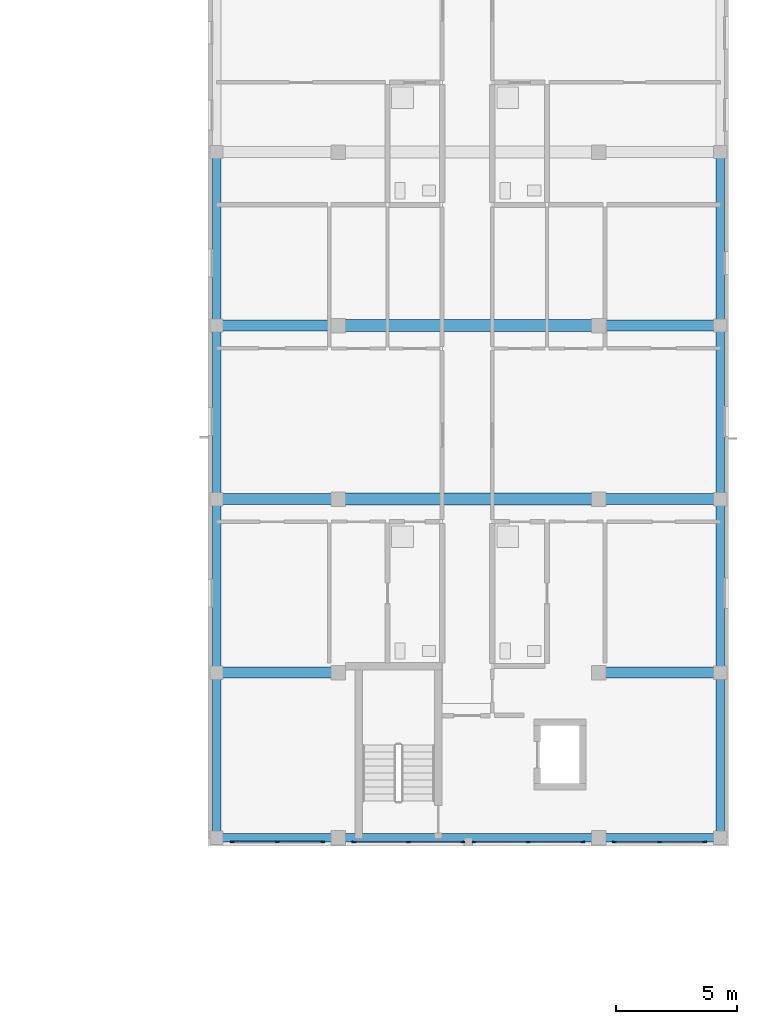
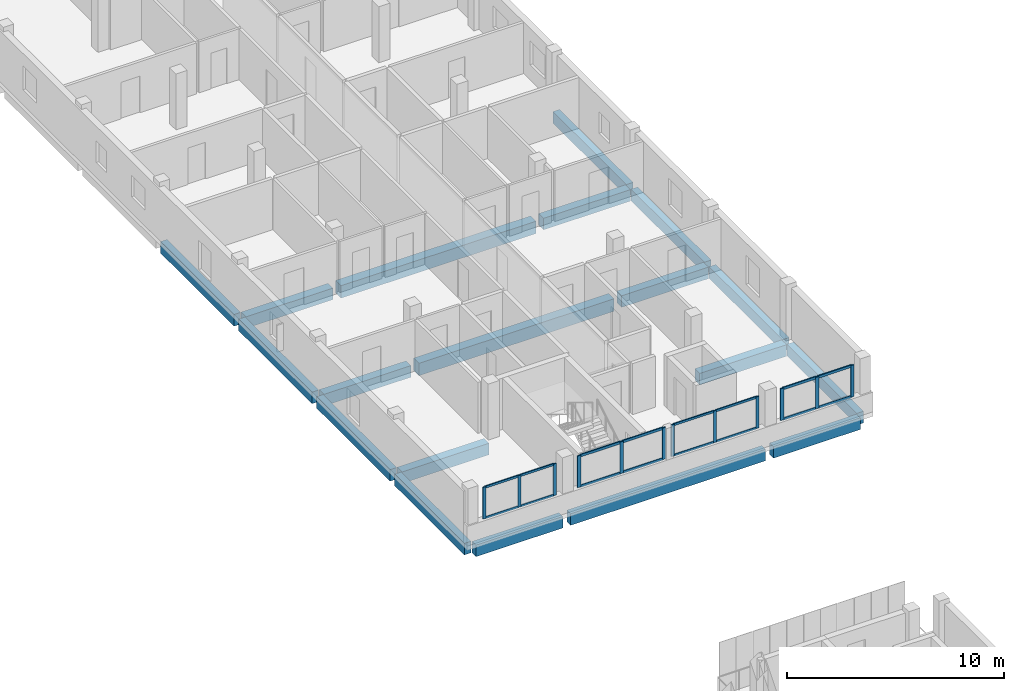
# One storey, part 6 of 34: 28 members, 19 beams, 4 elements without a shape of their own.
"""IFC4 building model written with IfcOpenShell, lengths in metres."""

from ifc_helpers import new_model, si_unit, derived_unit, direction, frame, origin, origin_2d, place, context, subcontext, project, spatial, rectangle, extrude, material, layer, layer_set, material_profile, profile_set, type_object, element, aggregate, save


model = new_model("IFC4")

# Units and contexts
model_context = context("Model", 3, precision=1e-05, world=origin(), true_north=direction((0.0, 1.0)))
body_context = subcontext(model_context, "Body", "Model", "MODEL_VIEW")
ifc_project = project(units=[si_unit("LENGTHUNIT", "METRE"), si_unit("AREAUNIT", "SQUARE_METRE"), si_unit("VOLUMEUNIT", "CUBIC_METRE"), si_unit("PLANEANGLEUNIT", "RADIAN"), si_unit("MASSUNIT", "GRAM", prefix="KILO"), derived_unit("THERMALTRANSMITTANCEUNIT", [(si_unit("MASSUNIT", "GRAM", prefix="KILO"), 1), (si_unit("TIMEUNIT", "SECOND"), -3), (si_unit("THERMODYNAMICTEMPERATUREUNIT", "KELVIN"), -1)])], contexts=[model_context])

# Site, building, storey
site_placement = place(None, origin())
site = spatial("IfcSite", under=ifc_project, at=site_placement, CompositionType="ELEMENT")
building_placement = place(site_placement, origin())
building = spatial("IfcBuilding", under=site, at=building_placement, Name="Ochrekiln Boulevard Commons", CompositionType="ELEMENT")
storey_placement = place(building_placement, frame((0.0, 0.0, 27.824951171875)))
storey = spatial("IfcBuildingStorey", under=building, at=storey_placement, Name="L08", CompositionType="ELEMENT", Elevation=27.824951171875)

# Beams
ifc_material_1 = material(Name="Concrete C35/45", Category="concrete")
ifc_material_profile_1 = material_profile(ifc_material_1, rectangle(XDim=0.449951171875, YDim=0.64990234375, at=origin_2d()), Name="RC-BM-450x650")
ifc_profile_set_1 = profile_set([ifc_material_profile_1], Name="Concrete C35/45")
beam_type_1 = type_object("IfcBeamType", Name="BM-RC-450x650", PredefinedType="BEAM", material=ifc_profile_set_1)
for number, where, z_axis, x_axis, name in (
    (1, (151.760009765625, 75.60009765625, -0.574951171875), (1.0, 0.0, 0.0), (0.0, 1.0, 0.0), "Block B L08 Beam B-4565 X4"),
    (2, (167.610107421875, 75.60009765625, -0.574951171875), (1.0, 0.0, 0.0), (0.0, 1.0, 0.0), "Block B L08 Beam B-4565 X5"),
    (3, (151.760009765625, 82.800048828125, -0.574951171875), (1.0, 0.0, 0.0), (0.0, 1.0, 0.0), "Block B L08 Beam B-4565 X6"),
    (4, (167.610107421875, 82.800048828125, -0.574951171875), (1.0, 0.0, 0.0), (0.0, 1.0, 0.0), "Block B L08 Beam B-4565 X8"),
    (5, (151.760009765625, 90.0, -0.574951171875), (1.0, 0.0, 0.0), (0.0, 1.0, 0.0), "Block B L08 Beam B-4565 X9"),
    (6, (167.610107421875, 90.0, -0.574951171875), (1.0, 0.0, 0.0), (0.0, 1.0, 0.0), "Block B L08 Beam B-4565 X11"),
):
    element("IfcBeam", number, at=place(storey_placement, frame(where, z_axis=z_axis, x_axis=x_axis)), inside=storey, type_object=beam_type_1, Name=name, PredefinedType="BEAM", context=body_context, shape_type="SweptSolid", body=[
        extrude(rectangle(XDim=0.449951171875, YDim=0.64990234375, at=origin_2d()), origin(), (0.0, 0.0, 1.0), 4.6298828125),
    ])
ifc_material_2 = material(Name="Concrete C40/50", Category="concrete")
ifc_material_profile_2 = material_profile(ifc_material_2, rectangle(XDim=0.5, YDim=0.699951171875, at=origin_2d()), Name="RC-BM-500x700")
ifc_profile_set_2 = profile_set([ifc_material_profile_2], Name="Concrete C40/50")
beam_type_2 = type_object("IfcBeamType", Name="BM-RC-500x700", PredefinedType="BEAM", material=ifc_profile_set_2)
for number, where, z_axis, x_axis, name in (
    (7, (156.81005859375, 82.800048828125, -0.599853515625), (1.0, 0.0, 0.0), (0.0, 1.0, 0.0), "Block B L08 Beam B-5070 X7"),
    (8, (156.81005859375, 90.0, -0.599853515625), (1.0, 0.0, 0.0), (0.0, 1.0, 0.0), "Block B L08 Beam B-5070 X10"),
):
    element("IfcBeam", number, at=place(storey_placement, frame(where, z_axis=z_axis, x_axis=x_axis)), inside=storey, type_object=beam_type_2, Name=name, PredefinedType="BEAM", context=body_context, shape_type="SweptSolid", body=[
        extrude(rectangle(XDim=0.5, YDim=0.699951171875, at=origin_2d()), origin(), (0.0, 0.0, 1.0), 10.3798828125),
    ])

# Curtain wall, members
ifc_material_3 = material(Name="Bronze-anodized extruded aluminium 6063-T6", Category="aluminium")
ifc_layer = layer(ifc_material_3, 0.18408203125)
ifc_layer_set = layer_set([ifc_layer], Name="Bronze-anodized extruded aluminium 6063-T6")
curtain_wall_type = type_object("IfcCurtainWallType", Name="CW-GABLE-B", PredefinedType="USERDEFINED", material=ifc_layer_set)
curtain_wall_1_placement = place(storey_placement, origin())
curtain_wall_1 = element("IfcCurtainWall", 9, at=curtain_wall_1_placement, inside=storey, type_object=curtain_wall_type, Name="Block B L08 Courtyard Glazed Gable Curtain Wall 1", ObjectType="GLAZED CURTAIN WALL", PredefinedType="USERDEFINED")
ifc_material_profile_3 = material_profile(ifc_material_3, rectangle(XDim=0.06005859375, YDim=0.159912109375, at=origin_2d()), Name="ALU-MUL-60x160")
ifc_profile_set_3 = profile_set([ifc_material_profile_3], Name="Bronze-anodized extruded aluminium 6063-T6")
member_type_1 = type_object("IfcMemberType", Name="CWM-60x160", PredefinedType="MULLION", material=ifc_profile_set_3)
member_1_placement = place(storey_placement, frame((152.199951171875, 68.570068359375, 1.110107421875), z_axis=(0.0, 0.0, 1.0), x_axis=(0.0, 1.0, 0.0)))
member_1 = element("IfcMember", 10, at=member_1_placement, type_object=member_type_1, Name="CW-02 mullion 1", PredefinedType="MULLION", context=body_context, shape_type="SweptSolid", body=[
    extrude(rectangle(XDim=0.06005859375, YDim=0.159912109375, at=origin_2d()), origin(), (0.0, 0.0, 1.0), 1.780029296875),
])
member_2_placement = place(storey_placement, frame((154.074951171875, 68.570068359375, 1.110107421875), z_axis=(0.0, 0.0, 1.0), x_axis=(0.0, 1.0, 0.0)))
member_2 = element("IfcMember", 11, at=member_2_placement, type_object=member_type_1, Name="CW-02 mullion 2", PredefinedType="MULLION", context=body_context, shape_type="SweptSolid", body=[
    extrude(rectangle(XDim=0.06005859375, YDim=0.159912109375, at=origin_2d()), origin(), (0.0, 0.0, 1.0), 1.780029296875),
])
member_3_placement = place(storey_placement, frame((155.949951171875, 68.570068359375, 1.110107421875), z_axis=(0.0, 0.0, 1.0), x_axis=(0.0, 1.0, 0.0)))
member_3 = element("IfcMember", 12, at=member_3_placement, type_object=member_type_1, Name="CW-02 mullion 3", PredefinedType="MULLION", context=body_context, shape_type="SweptSolid", body=[
    extrude(rectangle(XDim=0.06005859375, YDim=0.159912109375, at=origin_2d()), origin(), (0.0, 0.0, 1.0), 1.780029296875),
])

curtain_wall_2_placement = place(storey_placement, origin())
curtain_wall_2 = element("IfcCurtainWall", 13, at=curtain_wall_2_placement, inside=storey, type_object=curtain_wall_type, Name="Block B L08 Courtyard Glazed Gable Curtain Wall 3", ObjectType="GLAZED CURTAIN WALL", PredefinedType="USERDEFINED")
member_4_placement = place(storey_placement, frame((162.22998046875, 68.570068359375, 1.110107421875), z_axis=(0.0, 0.0, 1.0), x_axis=(0.0, 1.0, 0.0)))
member_4 = element("IfcMember", 14, at=member_4_placement, type_object=member_type_1, Name="CW-02 mullion 1", PredefinedType="MULLION", context=body_context, shape_type="SweptSolid", body=[
    extrude(rectangle(XDim=0.06005859375, YDim=0.159912109375, at=origin_2d()), origin(), (0.0, 0.0, 1.0), 1.780029296875),
])
member_5_placement = place(storey_placement, frame((164.489990234375, 68.570068359375, 1.110107421875), z_axis=(0.0, 0.0, 1.0), x_axis=(0.0, 1.0, 0.0)))
member_5 = element("IfcMember", 15, at=member_5_placement, type_object=member_type_1, Name="CW-02 mullion 2", PredefinedType="MULLION", context=body_context, shape_type="SweptSolid", body=[
    extrude(rectangle(XDim=0.06005859375, YDim=0.159912109375, at=origin_2d()), origin(), (0.0, 0.0, 1.0), 1.780029296875),
])
member_6_placement = place(storey_placement, frame((166.75, 68.570068359375, 1.110107421875), z_axis=(0.0, 0.0, 1.0), x_axis=(0.0, 1.0, 0.0)))
member_6 = element("IfcMember", 16, at=member_6_placement, type_object=member_type_1, Name="CW-02 mullion 3", PredefinedType="MULLION", context=body_context, shape_type="SweptSolid", body=[
    extrude(rectangle(XDim=0.06005859375, YDim=0.159912109375, at=origin_2d()), origin(), (0.0, 0.0, 1.0), 1.780029296875),
])

curtain_wall_3_placement = place(storey_placement, origin())
curtain_wall_3 = element("IfcCurtainWall", 17, at=curtain_wall_3_placement, inside=storey, type_object=curtain_wall_type, Name="Block B L08 Courtyard Glazed Gable Curtain Wall 2", ObjectType="GLAZED CURTAIN WALL", PredefinedType="USERDEFINED")
ifc_material_profile_4 = material_profile(ifc_material_3, rectangle(XDim=0.06494140625, YDim=0.179931640625, at=origin_2d()), Name="ALU-MUL-65x180")
ifc_profile_set_4 = profile_set([ifc_material_profile_4], Name="Bronze-anodized extruded aluminium 6063-T6")
member_type_2 = type_object("IfcMemberType", Name="CWM-65x180", PredefinedType="MULLION", material=ifc_profile_set_4)
member_7_placement = place(storey_placement, frame((157.25244140625, 68.570068359375, 1.110107421875), z_axis=(0.0, 0.0, 1.0), x_axis=(0.0, 1.0, 0.0)))
member_7 = element("IfcMember", 18, at=member_7_placement, type_object=member_type_2, Name="CW-02 mullion 1", PredefinedType="MULLION", context=body_context, shape_type="SweptSolid", body=[
    extrude(rectangle(XDim=0.06494140625, YDim=0.179931640625, at=origin_2d()), origin(), (0.0, 0.0, 1.0), 1.780029296875),
])
member_8_placement = place(storey_placement, frame((159.510009765625, 68.570068359375, 1.110107421875), z_axis=(0.0, 0.0, 1.0), x_axis=(0.0, 1.0, 0.0)))
member_8 = element("IfcMember", 19, at=member_8_placement, type_object=member_type_2, Name="CW-02 mullion 2", PredefinedType="MULLION", context=body_context, shape_type="SweptSolid", body=[
    extrude(rectangle(XDim=0.06494140625, YDim=0.179931640625, at=origin_2d()), origin(), (0.0, 0.0, 1.0), 1.780029296875),
])
member_9_placement = place(storey_placement, frame((161.767578125, 68.570068359375, 1.110107421875), z_axis=(0.0, 0.0, 1.0), x_axis=(0.0, 1.0, 0.0)))
member_9 = element("IfcMember", 20, at=member_9_placement, type_object=member_type_2, Name="CW-02 mullion 3", PredefinedType="MULLION", context=body_context, shape_type="SweptSolid", body=[
    extrude(rectangle(XDim=0.06494140625, YDim=0.179931640625, at=origin_2d()), origin(), (0.0, 0.0, 1.0), 1.780029296875),
])

curtain_wall_4_placement = place(storey_placement, origin())
curtain_wall_4 = element("IfcCurtainWall", 21, at=curtain_wall_4_placement, inside=storey, type_object=curtain_wall_type, Name="Block B L08 Courtyard Glazed Gable Curtain Wall 4", ObjectType="GLAZED CURTAIN WALL", PredefinedType="USERDEFINED")
member_10_placement = place(storey_placement, frame((168.052490234375, 68.570068359375, 1.110107421875), z_axis=(0.0, 0.0, 1.0), x_axis=(0.0, 1.0, 0.0)))
member_10 = element("IfcMember", 22, at=member_10_placement, type_object=member_type_2, Name="CW-02 mullion 1", PredefinedType="MULLION", context=body_context, shape_type="SweptSolid", body=[
    extrude(rectangle(XDim=0.06494140625, YDim=0.179931640625, at=origin_2d()), origin(), (0.0, 0.0, 1.0), 1.780029296875),
])
member_11_placement = place(storey_placement, frame((169.925048828125, 68.570068359375, 1.110107421875), z_axis=(0.0, 0.0, 1.0), x_axis=(0.0, 1.0, 0.0)))
member_11 = element("IfcMember", 23, at=member_11_placement, type_object=member_type_2, Name="CW-02 mullion 2", PredefinedType="MULLION", context=body_context, shape_type="SweptSolid", body=[
    extrude(rectangle(XDim=0.06494140625, YDim=0.179931640625, at=origin_2d()), origin(), (0.0, 0.0, 1.0), 1.780029296875),
])
member_12_placement = place(storey_placement, frame((171.797607421875, 68.570068359375, 1.110107421875), z_axis=(0.0, 0.0, 1.0), x_axis=(0.0, 1.0, 0.0)))
member_12 = element("IfcMember", 24, at=member_12_placement, type_object=member_type_2, Name="CW-02 mullion 3", PredefinedType="MULLION", context=body_context, shape_type="SweptSolid", body=[
    extrude(rectangle(XDim=0.06494140625, YDim=0.179931640625, at=origin_2d()), origin(), (0.0, 0.0, 1.0), 1.780029296875),
])

# Member
ifc_material_profile_5 = material_profile(ifc_material_3, rectangle(XDim=0.06005859375, YDim=0.1201171875, at=origin_2d()), Name="ALU-TRN-60x120")
ifc_profile_set_5 = profile_set([ifc_material_profile_5], Name="Bronze-anodized extruded aluminium 6063-T6")
member_type_3 = type_object("IfcMemberType", Name="CWT-60x120", PredefinedType="USERDEFINED", material=ifc_profile_set_5)
member_13_placement = place(storey_placement, frame((152.22998046875, 68.570068359375, 1.14013671875), z_axis=(1.0, 0.0, 0.0), x_axis=(0.0, 1.0, 0.0)))
member_13 = element("IfcMember", 25, at=member_13_placement, type_object=member_type_3, Name="CW-02 transom 1.1", ObjectType="TRANSOM", PredefinedType="USERDEFINED", context=body_context, shape_type="SweptSolid", body=[
    extrude(rectangle(XDim=0.06005859375, YDim=0.1201171875, at=origin_2d()), origin(), (0.0, 0.0, 1.0), 1.81494140625),
])

member_14_placement = place(storey_placement, frame((152.22998046875, 68.570068359375, 2.860107421875), z_axis=(1.0, 0.0, 0.0), x_axis=(0.0, 1.0, 0.0)))
member_14 = element("IfcMember", 26, at=member_14_placement, type_object=member_type_3, Name="CW-02 transom 1.2", ObjectType="TRANSOM", PredefinedType="USERDEFINED", context=body_context, shape_type="SweptSolid", body=[
    extrude(rectangle(XDim=0.06005859375, YDim=0.1201171875, at=origin_2d()), origin(), (0.0, 0.0, 1.0), 1.81494140625),
])

member_15_placement = place(storey_placement, frame((154.10498046875, 68.570068359375, 1.14013671875), z_axis=(1.0, 0.0, 0.0), x_axis=(0.0, 1.0, 0.0)))
member_15 = element("IfcMember", 27, at=member_15_placement, type_object=member_type_3, Name="CW-02 transom 2.1", ObjectType="TRANSOM", PredefinedType="USERDEFINED", context=body_context, shape_type="SweptSolid", body=[
    extrude(rectangle(XDim=0.06005859375, YDim=0.1201171875, at=origin_2d()), origin(), (0.0, 0.0, 1.0), 1.81494140625),
])

member_16_placement = place(storey_placement, frame((154.10498046875, 68.570068359375, 2.860107421875), z_axis=(1.0, 0.0, 0.0), x_axis=(0.0, 1.0, 0.0)))
member_16 = element("IfcMember", 28, at=member_16_placement, type_object=member_type_3, Name="CW-02 transom 2.2", ObjectType="TRANSOM", PredefinedType="USERDEFINED", context=body_context, shape_type="SweptSolid", body=[
    extrude(rectangle(XDim=0.06005859375, YDim=0.1201171875, at=origin_2d()), origin(), (0.0, 0.0, 1.0), 1.81494140625),
])

aggregate(curtain_wall_1, [member_1, member_2, member_3, member_13, member_14, member_15, member_16])

member_17_placement = place(storey_placement, frame((162.260009765625, 68.570068359375, 1.14013671875), z_axis=(1.0, 0.0, 0.0), x_axis=(0.0, 1.0, 0.0)))
member_17 = element("IfcMember", 29, at=member_17_placement, type_object=member_type_3, Name="CW-02 transom 1.1", ObjectType="TRANSOM", PredefinedType="USERDEFINED", context=body_context, shape_type="SweptSolid", body=[
    extrude(rectangle(XDim=0.06005859375, YDim=0.1201171875, at=origin_2d()), origin(), (0.0, 0.0, 1.0), 2.199951171875),
])

member_18_placement = place(storey_placement, frame((162.260009765625, 68.570068359375, 2.860107421875), z_axis=(1.0, 0.0, 0.0), x_axis=(0.0, 1.0, 0.0)))
member_18 = element("IfcMember", 30, at=member_18_placement, type_object=member_type_3, Name="CW-02 transom 1.2", ObjectType="TRANSOM", PredefinedType="USERDEFINED", context=body_context, shape_type="SweptSolid", body=[
    extrude(rectangle(XDim=0.06005859375, YDim=0.1201171875, at=origin_2d()), origin(), (0.0, 0.0, 1.0), 2.199951171875),
])

member_19_placement = place(storey_placement, frame((164.52001953125, 68.570068359375, 1.14013671875), z_axis=(1.0, 0.0, 0.0), x_axis=(0.0, 1.0, 0.0)))
member_19 = element("IfcMember", 31, at=member_19_placement, type_object=member_type_3, Name="CW-02 transom 2.1", ObjectType="TRANSOM", PredefinedType="USERDEFINED", context=body_context, shape_type="SweptSolid", body=[
    extrude(rectangle(XDim=0.06005859375, YDim=0.1201171875, at=origin_2d()), origin(), (0.0, 0.0, 1.0), 2.199951171875),
])

member_20_placement = place(storey_placement, frame((164.52001953125, 68.570068359375, 2.860107421875), z_axis=(1.0, 0.0, 0.0), x_axis=(0.0, 1.0, 0.0)))
member_20 = element("IfcMember", 32, at=member_20_placement, type_object=member_type_3, Name="CW-02 transom 2.2", ObjectType="TRANSOM", PredefinedType="USERDEFINED", context=body_context, shape_type="SweptSolid", body=[
    extrude(rectangle(XDim=0.06005859375, YDim=0.1201171875, at=origin_2d()), origin(), (0.0, 0.0, 1.0), 2.199951171875),
])

aggregate(curtain_wall_2, [member_4, member_5, member_6, member_17, member_18, member_19, member_20])

ifc_material_profile_6 = material_profile(ifc_material_3, rectangle(XDim=0.06494140625, YDim=0.139892578125, at=origin_2d()), Name="ALU-TRN-65x140")
ifc_profile_set_6 = profile_set([ifc_material_profile_6], Name="Bronze-anodized extruded aluminium 6063-T6")
member_type_4 = type_object("IfcMemberType", Name="CWT-65x140", PredefinedType="USERDEFINED", material=ifc_profile_set_6)
member_21_placement = place(storey_placement, frame((157.284912109375, 68.570068359375, 1.142578125), z_axis=(1.0, 0.0, 0.0), x_axis=(0.0, 1.0, 0.0)))
member_21 = element("IfcMember", 33, at=member_21_placement, type_object=member_type_4, Name="CW-02 transom 1.1", ObjectType="TRANSOM", PredefinedType="USERDEFINED", context=body_context, shape_type="SweptSolid", body=[
    extrude(rectangle(XDim=0.06494140625, YDim=0.139892578125, at=origin_2d()), origin(), (0.0, 0.0, 1.0), 2.192626953125),
])

member_22_placement = place(storey_placement, frame((157.284912109375, 68.570068359375, 2.857666015625), z_axis=(1.0, 0.0, 0.0), x_axis=(0.0, 1.0, 0.0)))
member_22 = element("IfcMember", 34, at=member_22_placement, type_object=member_type_4, Name="CW-02 transom 1.2", ObjectType="TRANSOM", PredefinedType="USERDEFINED", context=body_context, shape_type="SweptSolid", body=[
    extrude(rectangle(XDim=0.06494140625, YDim=0.139892578125, at=origin_2d()), origin(), (0.0, 0.0, 1.0), 2.192626953125),
])

member_23_placement = place(storey_placement, frame((159.54248046875, 68.570068359375, 1.142578125), z_axis=(1.0, 0.0, 0.0), x_axis=(0.0, 1.0, 0.0)))
member_23 = element("IfcMember", 35, at=member_23_placement, type_object=member_type_4, Name="CW-02 transom 2.1", ObjectType="TRANSOM", PredefinedType="USERDEFINED", context=body_context, shape_type="SweptSolid", body=[
    extrude(rectangle(XDim=0.06494140625, YDim=0.139892578125, at=origin_2d()), origin(), (0.0, 0.0, 1.0), 2.192626953125),
])

member_24_placement = place(storey_placement, frame((159.54248046875, 68.570068359375, 2.857666015625), z_axis=(1.0, 0.0, 0.0), x_axis=(0.0, 1.0, 0.0)))
member_24 = element("IfcMember", 36, at=member_24_placement, type_object=member_type_4, Name="CW-02 transom 2.2", ObjectType="TRANSOM", PredefinedType="USERDEFINED", context=body_context, shape_type="SweptSolid", body=[
    extrude(rectangle(XDim=0.06494140625, YDim=0.139892578125, at=origin_2d()), origin(), (0.0, 0.0, 1.0), 2.192626953125),
])

aggregate(curtain_wall_3, [member_7, member_8, member_9, member_21, member_22, member_23, member_24])

member_25_placement = place(storey_placement, frame((168.0849609375, 68.570068359375, 1.142578125), z_axis=(1.0, 0.0, 0.0), x_axis=(0.0, 1.0, 0.0)))
member_25 = element("IfcMember", 37, at=member_25_placement, type_object=member_type_4, Name="CW-02 transom 1.1", ObjectType="TRANSOM", PredefinedType="USERDEFINED", context=body_context, shape_type="SweptSolid", body=[
    extrude(rectangle(XDim=0.06494140625, YDim=0.139892578125, at=origin_2d()), origin(), (0.0, 0.0, 1.0), 1.8076171875),
])

member_26_placement = place(storey_placement, frame((168.0849609375, 68.570068359375, 2.857666015625), z_axis=(1.0, 0.0, 0.0), x_axis=(0.0, 1.0, 0.0)))
member_26 = element("IfcMember", 38, at=member_26_placement, type_object=member_type_4, Name="CW-02 transom 1.2", ObjectType="TRANSOM", PredefinedType="USERDEFINED", context=body_context, shape_type="SweptSolid", body=[
    extrude(rectangle(XDim=0.06494140625, YDim=0.139892578125, at=origin_2d()), origin(), (0.0, 0.0, 1.0), 1.8076171875),
])

member_27_placement = place(storey_placement, frame((169.95751953125, 68.570068359375, 1.142578125), z_axis=(1.0, 0.0, 0.0), x_axis=(0.0, 1.0, 0.0)))
member_27 = element("IfcMember", 39, at=member_27_placement, type_object=member_type_4, Name="CW-02 transom 2.1", ObjectType="TRANSOM", PredefinedType="USERDEFINED", context=body_context, shape_type="SweptSolid", body=[
    extrude(rectangle(XDim=0.06494140625, YDim=0.139892578125, at=origin_2d()), origin(), (0.0, 0.0, 1.0), 1.807373046875),
])

member_28_placement = place(storey_placement, frame((169.95751953125, 68.570068359375, 2.857666015625), z_axis=(1.0, 0.0, 0.0), x_axis=(0.0, 1.0, 0.0)))
member_28 = element("IfcMember", 40, at=member_28_placement, type_object=member_type_4, Name="CW-02 transom 2.2", ObjectType="TRANSOM", PredefinedType="USERDEFINED", context=body_context, shape_type="SweptSolid", body=[
    extrude(rectangle(XDim=0.06494140625, YDim=0.139892578125, at=origin_2d()), origin(), (0.0, 0.0, 1.0), 1.807373046875),
])

aggregate(curtain_wall_4, [member_10, member_11, member_12, member_25, member_26, member_27, member_28])

# Beams
ifc_material_profile_7 = material_profile(ifc_material_2, rectangle(XDim=0.35009765625, YDim=0.64990234375, at=origin_2d()), Name="RC-SPN-350x650")
ifc_profile_set_7 = profile_set([ifc_material_profile_7], Name="Concrete C40/50")
beam_type_3 = type_object("IfcBeamType", Name="SPN-RC-350x650", PredefinedType="SPANDREL", material=ifc_profile_set_7)
beam_1_placement = place(storey_placement, frame((151.760009765625, 68.75, -0.574951171875), z_axis=(1.0, 0.0, 0.0), x_axis=(0.0, 1.0, 0.0)))
element("IfcBeam", 41, at=beam_1_placement, inside=storey, type_object=beam_type_3, Name="Block B L08 Beam SP-3565 X1", PredefinedType="SPANDREL", context=body_context, shape_type="SweptSolid", body=[
    extrude(rectangle(XDim=0.35009765625, YDim=0.64990234375, at=origin_2d()), origin(), (0.0, 0.0, 1.0), 4.6298828125),
])
beam_2_placement = place(storey_placement, frame((156.81005859375, 68.75, -0.574951171875), z_axis=(1.0, 0.0, 0.0), x_axis=(0.0, 1.0, 0.0)))
element("IfcBeam", 42, at=beam_2_placement, inside=storey, type_object=beam_type_3, Name="Block B L08 Beam SP-3565 X2", PredefinedType="SPANDREL", context=body_context, shape_type="SweptSolid", body=[
    extrude(rectangle(XDim=0.35009765625, YDim=0.64990234375, at=origin_2d()), origin(), (0.0, 0.0, 1.0), 10.3798828125),
])
beam_3_placement = place(storey_placement, frame((167.610107421875, 68.75, -0.574951171875), z_axis=(1.0, 0.0, 0.0), x_axis=(0.0, 1.0, 0.0)))
element("IfcBeam", 43, at=beam_3_placement, inside=storey, type_object=beam_type_3, Name="Block B L08 Beam SP-3565 X3", PredefinedType="SPANDREL", context=body_context, shape_type="SweptSolid", body=[
    extrude(rectangle(XDim=0.35009765625, YDim=0.64990234375, at=origin_2d()), origin(), (0.0, 0.0, 1.0), 4.6298828125),
])
beam_4_placement = place(storey_placement, frame((151.550048828125, 68.9599609375, -0.574951171875), z_axis=(0.0, 1.0, 0.0), x_axis=(-1.0, 0.0, 0.0)))
element("IfcBeam", 44, at=beam_4_placement, inside=storey, type_object=beam_type_3, Name="Block B L08 Beam SP-3565 Y23", PredefinedType="SPANDREL", context=body_context, shape_type="SweptSolid", body=[
    extrude(rectangle(XDim=0.35009765625, YDim=0.64990234375, at=origin_2d()), origin(), (0.0, 0.0, 1.0), 6.429931640625),
])
for number, where, z_axis, x_axis, name in (
    (45, (151.550048828125, 75.81005859375, -0.574951171875), (0.0, 1.0, 0.0), (-1.0, 0.0, 0.0), "Block B L08 Beam SP-3565 Y24"),
    (46, (151.550048828125, 83.010009765625, -0.574951171875), (0.0, 1.0, 0.0), (-1.0, 0.0, 0.0), "Block B L08 Beam SP-3565 Y25"),
    (47, (151.550048828125, 90.2099609375, -0.574951171875), (0.0, 1.0, 0.0), (-1.0, 0.0, 0.0), "Block B L08 Beam SP-3565 Y26"),
):
    element("IfcBeam", number, at=place(storey_placement, frame(where, z_axis=z_axis, x_axis=x_axis)), inside=storey, type_object=beam_type_3, Name=name, PredefinedType="SPANDREL", context=body_context, shape_type="SweptSolid", body=[
        extrude(rectangle(XDim=0.35009765625, YDim=0.64990234375, at=origin_2d()), origin(), (0.0, 0.0, 1.0), 6.780029296875),
    ])
beam_5_placement = place(storey_placement, frame((172.449951171875, 68.9599609375, -0.574951171875), z_axis=(0.0, 1.0, 0.0), x_axis=(-1.0, 0.0, 0.0)))
element("IfcBeam", 48, at=beam_5_placement, inside=storey, type_object=beam_type_3, Name="Block B L08 Beam SP-3565 Y30", PredefinedType="SPANDREL", context=body_context, shape_type="SweptSolid", body=[
    extrude(rectangle(XDim=0.35009765625, YDim=0.64990234375, at=origin_2d()), origin(), (0.0, 0.0, 1.0), 6.429931640625),
])
for number, where, z_axis, x_axis, name in (
    (49, (172.449951171875, 75.81005859375, -0.574951171875), (0.0, 1.0, 0.0), (-1.0, 0.0, 0.0), "Block B L08 Beam SP-3565 Y31"),
    (50, (172.449951171875, 83.010009765625, -0.574951171875), (0.0, 1.0, 0.0), (-1.0, 0.0, 0.0), "Block B L08 Beam SP-3565 Y32"),
    (51, (172.449951171875, 90.2099609375, -0.574951171875), (0.0, 1.0, 0.0), (-1.0, 0.0, 0.0), "Block B L08 Beam SP-3565 Y33"),
):
    element("IfcBeam", number, at=place(storey_placement, frame(where, z_axis=z_axis, x_axis=x_axis)), inside=storey, type_object=beam_type_3, Name=name, PredefinedType="SPANDREL", context=body_context, shape_type="SweptSolid", body=[
        extrude(rectangle(XDim=0.35009765625, YDim=0.64990234375, at=origin_2d()), origin(), (0.0, 0.0, 1.0), 6.780029296875),
    ])

save(model, "model.ifc")
